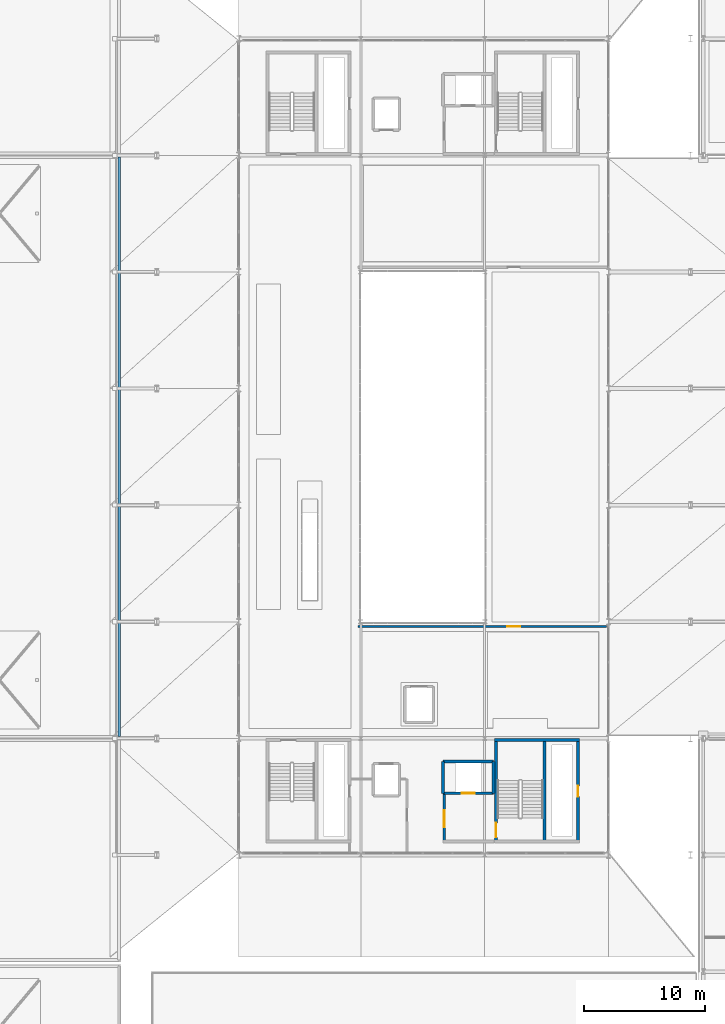
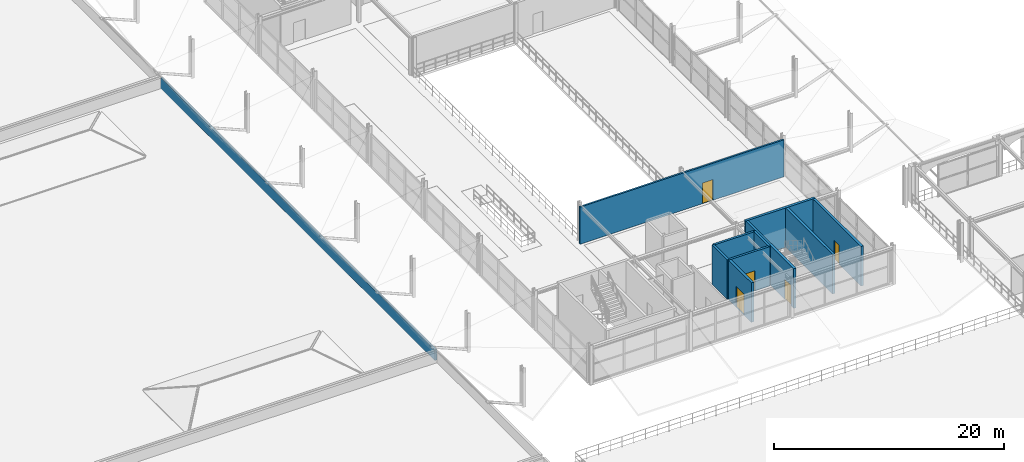
# One storey, part 46 of 81: 11 walls, 5 doors, 5 openings.
"""IFC4 building model written with IfcOpenShell, lengths in metres."""

from ifc_helpers import new_model, si_unit, direction, frame, frame_2d, origin, place, context, subcontext, project, spatial, rectangle, extrude, material, layer, layer_set, type_object, element, fill, save


model = new_model("IFC4")

# Units and contexts
model_context = context("Model", 3, precision=1e-05, world=origin(), true_north=direction((0.0, 1.0)))
body_context = subcontext(model_context, "Body", "Model", "MODEL_VIEW")
ifc_project = project(units=[si_unit("LENGTHUNIT", "METRE"), si_unit("AREAUNIT", "SQUARE_METRE"), si_unit("VOLUMEUNIT", "CUBIC_METRE"), si_unit("PLANEANGLEUNIT", "RADIAN"), si_unit("MASSUNIT", "GRAM", prefix="KILO")], contexts=[model_context])

# Site, building, storey
site_placement = place(None, origin())
site = spatial("IfcSite", under=ifc_project, at=site_placement, CompositionType="ELEMENT")
building_placement = place(site_placement, origin())
building = spatial("IfcBuilding", under=site, at=building_placement, Name="Myrtia Square Station", CompositionType="ELEMENT")
storey_placement = place(building_placement, frame((0.0, 0.0, 10.800048828125)))
storey = spatial("IfcBuildingStorey", under=building, at=storey_placement, Name="L02", CompositionType="ELEMENT", Elevation=10.800048828125)

# Wall
ifc_material_1 = material(Name="Concrete C35/45", Category="concrete")
ifc_layer_1 = layer(ifc_material_1, 0.25, Name="Concrete C35/45")
ifc_layer_set_1 = layer_set([ifc_layer_1], Name="Concrete C35/45")
wall_type_1 = type_object("IfcWallType", Name="WL-CORE-250", PredefinedType="SHEAR", material=ifc_layer_set_1)
wall_1_placement = place(storey_placement, frame((100.39990234375, 38.27490234375, 0.0), z_axis=(0.0, 0.0, 1.0), x_axis=(1.0, 0.0, 0.0)))
element("IfcWall", 1, at=wall_1_placement, inside=storey, type_object=wall_type_1, Name="Core K3 shear wall L02 N", PredefinedType="SHEAR", context=body_context, shape_type="SweptSolid", body=[
    extrude(rectangle(XDim=7.0, YDim=0.25, at=frame_2d((3.5, 0.0))), origin(), (0.0, 0.0, 1.0), 4.199951171875),
])

# Wall, opening, door
wall_2_placement = place(storey_placement, frame((100.52490234375, 29.800048828125, 0.0), z_axis=(0.0, 0.0, 1.0), x_axis=(0.0, 1.0, 0.0)))
wall_2 = element("IfcWall", 2, at=wall_2_placement, inside=storey, type_object=wall_type_1, Name="Core K3 shear wall L02 W", PredefinedType="SHEAR", context=body_context, shape_type="SweptSolid", body=[
    extrude(rectangle(XDim=8.599853515625, YDim=0.25, at=frame_2d((4.2998046875, 0.0))), origin(), (0.0, 0.0, 1.0), 4.199951171875),
])
opening_1_placement = place(wall_2_placement, frame((0.449951171875, 0.0, 0.0)))
opening_1 = element("IfcOpeningElement", 3, at=opening_1_placement, cuts=wall_2, Name="Opening SD-030", PredefinedType="OPENING", context=body_context, shape_type="SweptSolid", body=[
    extrude(rectangle(XDim=1.199951171875, YDim=2.14990234375, at=frame_2d((0.60009765625, 1.074951171875))), frame((0.0, 0.139892578125, 0.0), z_axis=(0.0, -1.0, 0.0), x_axis=(1.0, 0.0, 0.0)), (0.0, 0.0, 1.0), 0.280029296875),
])
ifc_material_2 = material(Name="Dark bronze anodised aluminium", Category="aluminium")
door_type_1 = type_object("IfcDoorType", Name="DR-STAIR-1200x2150", OperationType="NOTDEFINED", PredefinedType="DOOR", material=ifc_material_2)
door_1_placement = place(opening_1_placement, frame((1.199951171875, 0.0, 0.0), z_axis=(0.0, 0.0, 1.0), x_axis=(-1.0, 0.0, 0.0)))
door_1 = element("IfcDoor", 4, at=door_1_placement, inside=storey, type_object=door_type_1, Name="Protected stair fire door K3 L02", OperationType="SINGLE_SWING_RIGHT", OverallHeight=2.14990234375, OverallWidth=1.199951171875, PredefinedType="DOOR", context=body_context, shape_type="SweptSolid", body=[
    extrude(rectangle(XDim=1.199951171875, YDim=2.14990234375, at=frame_2d((0.60009765625, 1.074951171875))), frame((0.0, 0.02490234375, 0.0), z_axis=(0.0, -1.0, 0.0), x_axis=(1.0, 0.0, 0.0)), (0.0, 0.0, 1.0), 0.050048828125),
])
fill(opening_1, door_1)

wall_3_placement = place(storey_placement, frame((107.27490234375, 29.800048828125, 0.0), z_axis=(0.0, 0.0, 1.0), x_axis=(0.0, 1.0, 0.0)))
wall_3 = element("IfcWall", 5, at=wall_3_placement, inside=storey, type_object=wall_type_1, Name="Core K3 shear wall L02 E", PredefinedType="SHEAR", context=body_context, shape_type="SweptSolid", body=[
    extrude(rectangle(XDim=8.599853515625, YDim=0.25, at=frame_2d((4.2998046875, 0.0))), origin(), (0.0, 0.0, 1.0), 4.199951171875),
])
opening_2_placement = place(wall_3_placement, frame((3.800048828125, 0.0, 0.0)))
opening_2 = element("IfcOpeningElement", 6, at=opening_2_placement, cuts=wall_3, Name="Opening RD-031", PredefinedType="OPENING", context=body_context, shape_type="SweptSolid", body=[
    extrude(rectangle(XDim=0.89990234375, YDim=2.050048828125, at=frame_2d((0.449951171875, 1.02490234375))), frame((0.0, 0.139892578125, 0.0), z_axis=(0.0, -1.0, 0.0), x_axis=(1.0, 0.0, 0.0)), (0.0, 0.0, 1.0), 0.280029296875),
])
door_type_2 = type_object("IfcDoorType", Name="DR-RISER-900x2050", OperationType="NOTDEFINED", PredefinedType="DOOR", material=ifc_material_2)
door_2_placement = place(opening_2_placement, origin())
door_2 = element("IfcDoor", 7, at=door_2_placement, inside=storey, type_object=door_type_2, Name="Riser cupboard access door K3 L02", OperationType="SINGLE_SWING_LEFT", OverallHeight=2.050048828125, OverallWidth=0.89990234375, PredefinedType="DOOR", context=body_context, shape_type="SweptSolid", body=[
    extrude(rectangle(XDim=0.89990234375, YDim=2.050048828125, at=frame_2d((0.449951171875, 1.02490234375))), frame((0.0, 0.02490234375, 0.0), z_axis=(0.0, -1.0, 0.0), x_axis=(1.0, 0.0, 0.0)), (0.0, 0.0, 1.0), 0.050048828125),
])
fill(opening_2, door_2)

# Wall
wall_4_placement = place(storey_placement, frame((104.5400390625, 30.0, 0.0), z_axis=(0.0, 0.0, 1.0), x_axis=(0.0, 1.0, 0.0)))
element("IfcWall", 8, at=wall_4_placement, inside=storey, type_object=wall_type_1, Name="Core K3 shear wall L02 D", PredefinedType="SHEAR", context=body_context, shape_type="SweptSolid", body=[
    extrude(rectangle(XDim=8.199951171875, YDim=0.25, at=frame_2d((4.10009765625, 0.0))), origin(), (0.0, 0.0, 1.0), 4.199951171875),
])

# Wall, opening, door
ifc_layer_2 = layer(ifc_material_1, 0.239990234375, Name="Concrete C35/45")
ifc_layer_set_2 = layer_set([ifc_layer_2], Name="Concrete C35/45")
wall_type_2 = type_object("IfcWallType", Name="WL-FFL-240", PredefinedType="SHEAR", material=ifc_layer_set_2)
wall_5_placement = place(storey_placement, frame((96.27001953125, 29.800048828125, 0.0), z_axis=(0.0, 0.0, 1.0), x_axis=(0.0, 1.0, 0.0)))
wall_5 = element("IfcWall", 9, at=wall_5_placement, inside=storey, type_object=wall_type_2, Name="Firefighting lift lobby EI 120 wall K3 L02 W", PredefinedType="SHEAR", context=body_context, shape_type="SweptSolid", body=[
    extrude(rectangle(XDim=4.0, YDim=0.239990234375, at=frame_2d((2.0, 0.0))), origin(), (0.0, 0.0, 1.0), 4.199951171875),
])
opening_3_placement = place(wall_5_placement, frame((1.300048828125, 0.0, 0.0)))
opening_3 = element("IfcOpeningElement", 10, at=opening_3_placement, cuts=wall_5, Name="Opening FD-032", PredefinedType="OPENING", context=body_context, shape_type="SweptSolid", body=[
    extrude(rectangle(XDim=1.39990234375, YDim=2.199951171875, at=frame_2d((0.699951171875, 1.10009765625))), frame((0.0, 0.135009765625, 0.0), z_axis=(0.0, -1.0, 0.0), x_axis=(1.0, 0.0, 0.0)), (0.0, 0.0, 1.0), 0.27001953125),
])
door_type_3 = type_object("IfcDoorType", Name="DR-FFL-1400x2200", OperationType="NOTDEFINED", PredefinedType="DOOR", material=ifc_material_2)
door_3_placement = place(opening_3_placement, origin())
door_3 = element("IfcDoor", 11, at=door_3_placement, inside=storey, type_object=door_type_3, Name="Firefighting lobby fire door K3 L02", OperationType="SINGLE_SWING_RIGHT", OverallHeight=2.199951171875, OverallWidth=1.39990234375, PredefinedType="DOOR", context=body_context, shape_type="SweptSolid", body=[
    extrude(rectangle(XDim=1.39990234375, YDim=2.199951171875, at=frame_2d((0.699951171875, 1.10009765625))), frame((0.0, 0.02490234375, 0.0), z_axis=(0.0, -1.0, 0.0), x_axis=(1.0, 0.0, 0.0)), (0.0, 0.0, 1.0), 0.050048828125),
])
fill(opening_3, door_3)

ifc_layer_3 = layer(ifc_material_1, 0.219970703125, Name="Concrete C35/45")
ifc_layer_set_3 = layer_set([ifc_layer_3], Name="Concrete C35/45")
wall_type_3 = type_object("IfcWallType", Name="WL-LIFT-220", PredefinedType="SHEAR", material=ifc_layer_set_3)
wall_6_placement = place(storey_placement, frame((96.169921875, 33.8798828125, 0.0), z_axis=(0.0, 0.0, 1.0), x_axis=(1.0, 0.0, 0.0)))
wall_6 = element("IfcWall", 12, at=wall_6_placement, inside=storey, type_object=wall_type_3, Name="Lift shaft wall FFL-01 L02 -Y", PredefinedType="SHEAR", context=body_context, shape_type="SweptSolid", body=[
    extrude(rectangle(XDim=4.16015625, YDim=0.219970703125, at=frame_2d((2.080078125, 0.0))), origin(), (0.0, 0.0, 1.0), 4.199951171875),
])
opening_4_placement = place(wall_6_placement, frame((1.530029296875, 0.0, 0.0)))
opening_4 = element("IfcOpeningElement", 13, at=opening_4_placement, cuts=wall_6, Name="Opening LD-FFL-01", PredefinedType="OPENING", context=body_context, shape_type="SweptSolid", body=[
    extrude(rectangle(XDim=1.10009765625, YDim=2.14990234375, at=frame_2d((0.550048828125, 1.074951171875))), frame((0.0, 0.125, 0.0), z_axis=(0.0, -1.0, 0.0), x_axis=(1.0, 0.0, 0.0)), (0.0, 0.0, 1.0), 0.25),
])
door_type_4 = type_object("IfcDoorType", Name="DR-LIFT-1100x2150", OperationType="NOTDEFINED", PredefinedType="DOOR", material=ifc_material_2)
door_4_placement = place(opening_4_placement, origin())
door_4 = element("IfcDoor", 14, at=door_4_placement, inside=storey, type_object=door_type_4, Name="Lift landing door FFL-01 L02", OperationType="SLIDING_TO_LEFT", OverallHeight=2.14990234375, OverallWidth=1.10009765625, PredefinedType="DOOR", context=body_context, shape_type="SweptSolid", body=[
    extrude(rectangle(XDim=1.10009765625, YDim=2.14990234375, at=frame_2d((0.550048828125, 1.074951171875))), frame((0.0, 0.02490234375, 0.0), z_axis=(0.0, -1.0, 0.0), x_axis=(1.0, 0.0, 0.0)), (0.0, 0.0, 1.0), 0.050048828125),
])
fill(opening_4, door_4)

# Walls
wall_7_placement = place(storey_placement, frame((96.169921875, 36.5, 0.0), z_axis=(0.0, 0.0, 1.0), x_axis=(1.0, 0.0, 0.0)))
element("IfcWall", 15, at=wall_7_placement, inside=storey, type_object=wall_type_3, Name="Lift shaft wall FFL-01 L02 +Y", PredefinedType="SHEAR", context=body_context, shape_type="SweptSolid", body=[
    extrude(rectangle(XDim=4.16015625, YDim=0.219970703125, at=frame_2d((2.080078125, 0.0))), origin(), (0.0, 0.0, 1.0), 4.199951171875),
])
for number, where, z_axis, x_axis, name in (
    (16, (96.169921875, 33.8798828125, 0.0), (0.0, 0.0, 1.0), (0.0, 1.0, 0.0), "Lift shaft wall FFL-01 L02 -X"),
    (17, (100.330078125, 33.8798828125, 0.0), (0.0, 0.0, 1.0), (0.0, 1.0, 0.0), "Lift shaft wall FFL-01 L02 +X"),
):
    element("IfcWall", number, at=place(storey_placement, frame(where, z_axis=z_axis, x_axis=x_axis)), inside=storey, type_object=wall_type_3, Name=name, PredefinedType="SHEAR", context=body_context, shape_type="SweptSolid", body=[
        extrude(rectangle(XDim=2.6201171875, YDim=0.219970703125, at=frame_2d((1.31005859375, 0.0))), origin(), (0.0, 0.0, 1.0), 4.199951171875),
    ])
ifc_material_3 = material(Name="Cream lime stucco on clay brick masonry", Category="masonry")
ifc_layer_4 = layer(ifc_material_3, 0.2099609375, Name="Cream lime stucco on clay brick masonry")
ifc_layer_set_4 = layer_set([ifc_layer_4], Name="Cream lime stucco on clay brick masonry")
wall_type_4 = type_object("IfcWallType", Name="WL-PAR-STUCCO-210", PredefinedType="PARAPET", material=ifc_layer_set_4)
wall_8_placement = place(storey_placement, frame((69.5, 38.550048828125, 0.0), z_axis=(0.0, 0.0, 1.0), x_axis=(0.0, 1.0, 0.0)))
element("IfcWall", 18, at=wall_8_placement, inside=storey, type_object=wall_type_4, Name="Spanish Mission roof parapet 022", PredefinedType="PARAPET", context=body_context, shape_type="SweptSolid", body=[
    extrude(rectangle(XDim=47.699951171875, YDim=0.2099609375, at=frame_2d((23.85009765625, 0.0))), origin(), (0.0, 0.0, 1.0), 1.14990234375),
])

# Wall, opening, door
ifc_layer_5 = layer(ifc_material_3, 0.175048828125, Name="Cream lime stucco on clay brick masonry")
ifc_layer_set_5 = layer_set([ifc_layer_5], Name="Cream lime stucco on clay brick masonry")
wall_type_5 = type_object("IfcWallType", Name="WL-PART-175", PredefinedType="PARTITIONING", material=ifc_layer_set_5)
wall_9_placement = place(storey_placement, frame((89.14990234375, 47.60009765625, 0.0), z_axis=(0.0, 0.0, 1.0), x_axis=(1.0, 0.0, 0.0)))
wall_9 = element("IfcWall", 19, at=wall_9_placement, inside=storey, type_object=wall_type_5, Name="Interior partition wall L02-01", PredefinedType="PARTITIONING", context=body_context, shape_type="SweptSolid", body=[
    extrude(rectangle(XDim=20.4951171875, YDim=0.175048828125, at=frame_2d((10.24755859375, 0.0))), origin(), (0.0, 0.0, 1.0), 3.93994140625),
])
opening_5_placement = place(wall_9_placement, frame((12.324951171875, 0.0, 0.0)))
opening_5 = element("IfcOpeningElement", 20, at=opening_5_placement, cuts=wall_9, Name="Opening D-253", PredefinedType="OPENING", context=body_context, shape_type="SweptSolid", body=[
    extrude(rectangle(XDim=1.050048828125, YDim=2.199951171875, at=frame_2d((0.52490234375, 1.10009765625))), frame((0.0, 0.1025390625, 0.0), z_axis=(0.0, -1.0, 0.0), x_axis=(1.0, 0.0, 0.0)), (0.0, 0.0, 1.0), 0.205078125),
])
ifc_material_4 = material(Name="Acoustic European oak timber", Category="wood")
door_type_5 = type_object("IfcDoorType", Name="DR-ROOM-1050x2200", OperationType="NOTDEFINED", PredefinedType="DOOR", material=ifc_material_4)
door_5_placement = place(opening_5_placement, origin())
door_5 = element("IfcDoor", 21, at=door_5_placement, inside=storey, type_object=door_type_5, Name="International Departure Waiting Gallery South door D-253", OperationType="SINGLE_SWING_LEFT", OverallHeight=2.199951171875, OverallWidth=1.050048828125, PredefinedType="DOOR", context=body_context, shape_type="SweptSolid", body=[
    extrude(rectangle(XDim=1.050048828125, YDim=2.199951171875, at=frame_2d((0.52490234375, 1.10009765625))), frame((0.0, 0.02490234375, 0.0), z_axis=(0.0, -1.0, 0.0), x_axis=(1.0, 0.0, 0.0)), (0.0, 0.0, 1.0), 0.050048828125),
])
fill(opening_5, door_5)

save(model, "model.ifc")
